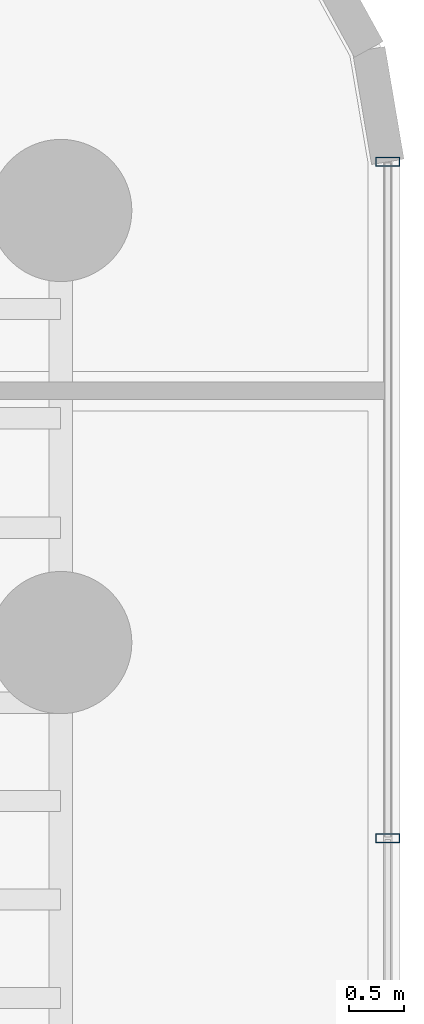
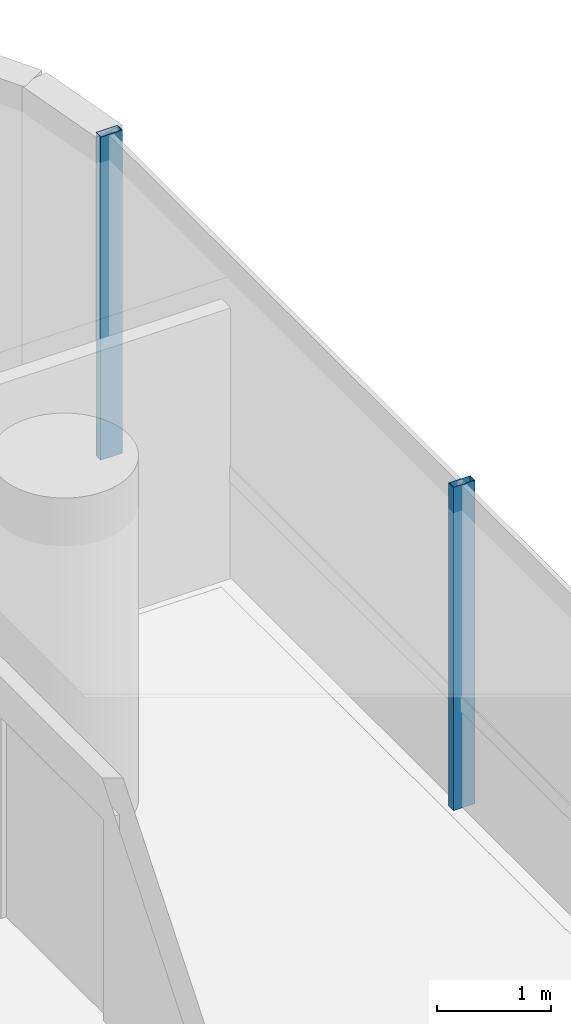
# One storey, part 28 of 40: 2 members, 1 element without a shape of its own.
"""IFC4 building model written with IfcOpenShell, lengths in metres."""

from ifc_helpers import new_model, si_unit, direction, frame, origin, origin_2d, place, context, subcontext, project, spatial, hollow_rectangle, extrude, source, transform, mapped, material, material_profile, profile_set, type_object, element, aggregate, save


model = new_model("IFC4")

# Units and contexts
model_context = context("Model", 3, precision=1e-05, world=origin(), true_north=direction((0.0, 1.0)))
body_context = subcontext(model_context, "Body", "Model", "MODEL_VIEW")
ifc_project = project(units=[si_unit("LENGTHUNIT", "METRE"), si_unit("AREAUNIT", "SQUARE_METRE"), si_unit("VOLUMEUNIT", "CUBIC_METRE"), si_unit("PLANEANGLEUNIT", "RADIAN"), si_unit("MASSUNIT", "GRAM", prefix="KILO")], contexts=[model_context])

# Site, building, storey
site_placement = place(None, origin())
site = spatial("IfcSite", under=ifc_project, at=site_placement, CompositionType="ELEMENT")
building_placement = place(site_placement, origin())
building = spatial("IfcBuilding", under=site, at=building_placement, Name="Valdorenza Pilgrim Sanctuary Tower", CompositionType="ELEMENT")
storey_placement = place(building_placement, frame((0.0, 0.0, 81.5)))
storey = spatial("IfcBuildingStorey", under=building, at=storey_placement, Name="L20", CompositionType="ELEMENT", Elevation=81.5)

# Curtain wall, members
ifc_material_1 = material(Name="Curtain-wall IGU glazing", Category="glass")
curtain_wall_type = type_object("IfcCurtainWallType", Name="CW-SYS-03", PredefinedType="NOTDEFINED", material=ifc_material_1)
curtain_wall_placement = place(storey_placement, origin())
curtain_wall = element("IfcCurtainWall", 1, at=curtain_wall_placement, inside=storey, type_object=curtain_wall_type, Name="L20 Curtain Wall CW-L20-1-21", PredefinedType="NOTDEFINED")
ifc_material_2 = material(Name="Anodised aluminium AW-6060", Category="aluminium")
ifc_material_profile = material_profile(ifc_material_2, hollow_rectangle(XDim=0.0849609375, YDim=0.219970703125, WallThickness=0.0048828125, at=origin_2d()), Name="ALU-M 220x85x5")
ifc_profile_set = profile_set([ifc_material_profile], Name="Anodised aluminium AW-6060")
member_type = type_object("IfcMemberType", Name="CW-MUL-03", PredefinedType="MULLION", material=ifc_profile_set)
shared_shape = source(origin(), body_context, "Body", "SweptSolid", [
    extrude(hollow_rectangle(XDim=0.0849609375, YDim=0.219970703125, WallThickness=0.0048828125, at=origin_2d()), origin(), (0.0, 0.0, 1.0), 3.4599609375),
])
member_1_placement = place(storey_placement, frame((31.389892578125, 13.945068359375, 0.0), z_axis=(0.0, 0.0, 1.0), x_axis=(0.0, -1.0, 0.0)))
member_1 = element("IfcMember", 2, at=member_1_placement, type_object=member_type, Name="CW-L20-1-21 Mullion 1", PredefinedType="MULLION", context=body_context, shape_type="MappedRepresentation", body=[
    mapped(shared_shape, transform((0.0, 0.0, 0.0), x_axis=(1.0, 0.0, 0.0), y_axis=(0.0, 1.0, 0.0), z_axis=(0.0, 0.0, 1.0), scale=1.0)),
])
member_2_placement = place(storey_placement, frame((31.389892578125, 7.761474609375, 0.0), z_axis=(0.0, 0.0, 1.0), x_axis=(0.0, -1.0, 0.0)))
member_2 = element("IfcMember", 3, at=member_2_placement, type_object=member_type, Name="CW-L20-1-21 Mullion 2", PredefinedType="MULLION", context=body_context, shape_type="MappedRepresentation", body=[
    mapped(shared_shape, transform((0.0, 0.0, 0.0), x_axis=(1.0, 0.0, 0.0), y_axis=(0.0, 1.0, 0.0), z_axis=(0.0, 0.0, 1.0), scale=1.0)),
])
aggregate(curtain_wall, [member_1, member_2])

save(model, "model.ifc")
